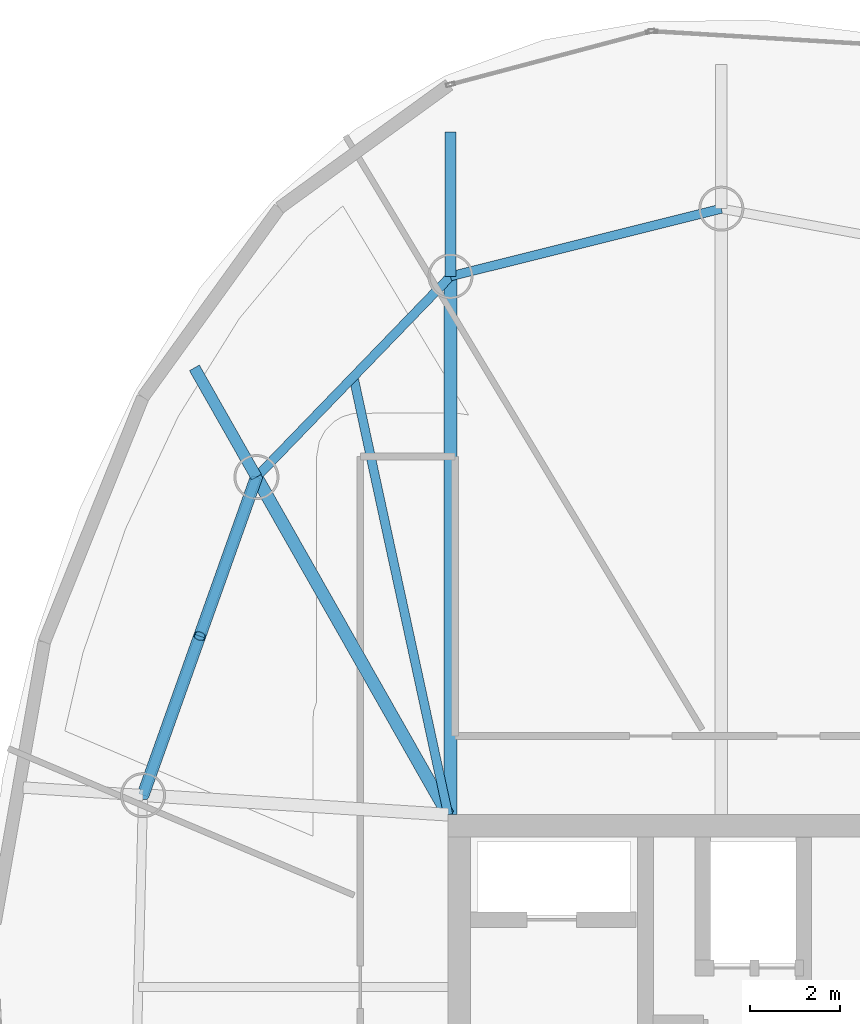
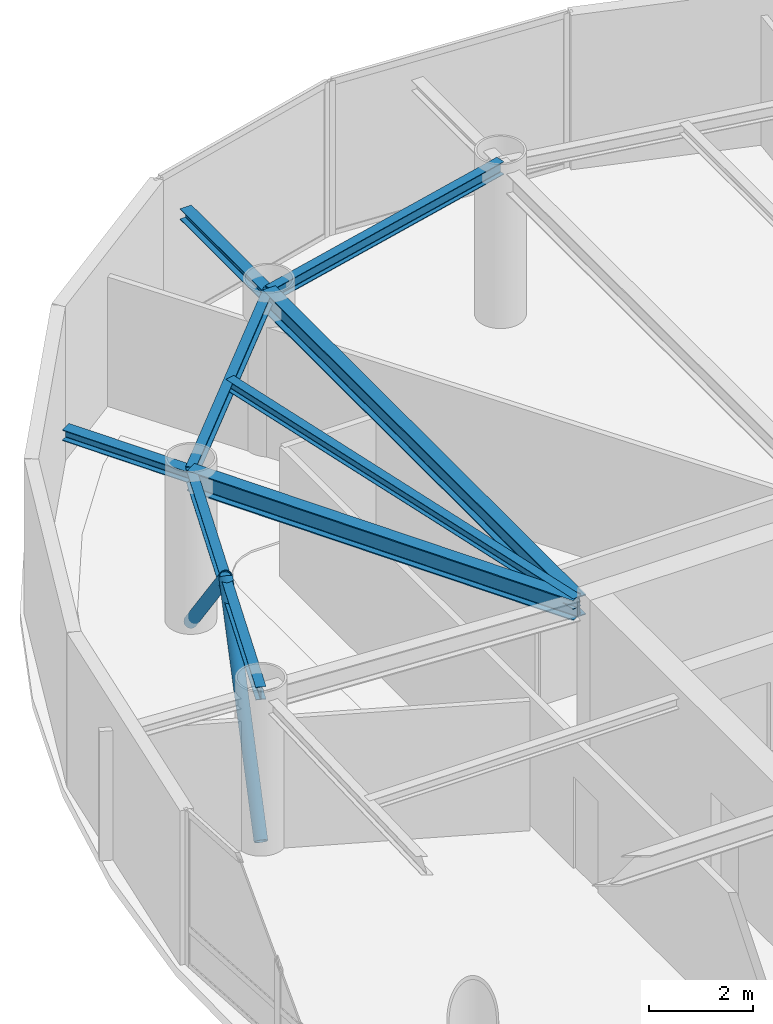
# One storey, part 8 of 19: 8 beams, 2 members.
"""IFC4 building model written with IfcOpenShell, lengths in metres."""

from ifc_helpers import new_model, si_unit, direction, frame, origin, origin_2d, place, context, subcontext, project, spatial, hollow_circle, i_section, extrude, material, material_profile, profile_set, type_object, element, save


model = new_model("IFC4")

# Units and contexts
model_context = context("Model", 3, precision=1e-05, world=origin(), true_north=direction((0.0, 1.0)))
body_context = subcontext(model_context, "Body", "Model", "MODEL_VIEW")
ifc_project = project(units=[si_unit("LENGTHUNIT", "METRE"), si_unit("AREAUNIT", "SQUARE_METRE"), si_unit("VOLUMEUNIT", "CUBIC_METRE"), si_unit("PLANEANGLEUNIT", "RADIAN"), si_unit("MASSUNIT", "GRAM", prefix="KILO")], contexts=[model_context])

# Site, building, storey
site_placement = place(None, origin())
site = spatial("IfcSite", under=ifc_project, at=site_placement, CompositionType="ELEMENT")
building_placement = place(site_placement, origin())
building = spatial("IfcBuilding", under=site, at=building_placement, Name="Bramvorn Convention Spire", CompositionType="ELEMENT")
storey_placement = place(building_placement, frame((0.0, 0.0, 292.10009765625)))
storey = spatial("IfcBuildingStorey", under=building, at=storey_placement, Name="L74", CompositionType="ELEMENT", Elevation=292.10009765625)

# Beams
ifc_material = material(Name="Steel CSA G40.21 Grade 350 (350W)", Category="steel")
ifc_material_profile_1 = material_profile(ifc_material, i_section(OverallWidth=0.201904296875, OverallDepth=0.2470703125, WebThickness=0.00732421875, FlangeThickness=0.010986328125, FilletRadius=0.011962890625, at=origin_2d()))
ifc_profile_set_1 = profile_set([ifc_material_profile_1], Name="Steel CSA G40.21 Grade 350 (350W) - W250X49")
beam_type_1 = type_object("IfcBeamType", Name="BM-W250X49", PredefinedType="JOIST", material=ifc_profile_set_1)
beam_1_placement = place(storey_placement, frame((26.75, 33.449951171875, 3.50146484375), z_axis=(-0.211461445939, 0.977386339623, 0.0), x_axis=(-0.977386339623, -0.211461445939, 0.0)))
element("IfcBeam", 1, at=beam_1_placement, inside=storey, type_object=beam_type_1, Name="L74 composite floor joist 09", PredefinedType="JOIST", context=body_context, shape_type="SweptSolid", body=[
    extrude(i_section(OverallWidth=0.201904296875, OverallDepth=0.2470703125, WebThickness=0.00732421875, FlangeThickness=0.010986328125, FilletRadius=0.011962890625, at=origin_2d()), origin(), (0.0, 0.0, 1.0), 9.9462890625),
])
ifc_material_profile_2 = material_profile(ifc_material, i_section(OverallWidth=0.25390625, OverallDepth=0.2529296875, WebThickness=0.008544921875, FlangeThickness=0.01416015625, FilletRadius=0.011962890625, at=origin_2d()))
ifc_profile_set_2 = profile_set([ifc_material_profile_2], Name="Steel CSA G40.21 Grade 350 (350W) - W250X73")
beam_type_2 = type_object("IfcBeamType", Name="BM-W250X73", PredefinedType="BEAM", material=ifc_profile_set_2)
beam_2_placement = place(storey_placement, frame((26.800048828125, 45.39892578125, 3.45849609375), z_axis=(0.0, 1.0, 0.0), x_axis=(-1.0, 0.0, 0.0)))
element("IfcBeam", 2, at=beam_2_placement, inside=storey, type_object=beam_type_2, Name="L74 slab-edge cantilever tip beam MC09", PredefinedType="BEAM", context=body_context, shape_type="SweptSolid", body=[
    extrude(i_section(OverallWidth=0.25390625, OverallDepth=0.2529296875, WebThickness=0.008544921875, FlangeThickness=0.01416015625, FilletRadius=0.011962890625, at=origin_2d()), origin(), (0.0, 0.0, 1.0), 3.2001953125),
])
beam_3_placement = place(storey_placement, frame((22.49365234375, 40.94384765625, 3.45849609375), z_axis=(-0.493902600093, 0.869517234804, 0.0), x_axis=(-0.869517234804, -0.493902600093, 0.0)))
element("IfcBeam", 3, at=beam_3_placement, inside=storey, type_object=beam_type_2, Name="L74 slab-edge cantilever tip beam MC10", PredefinedType="BEAM", context=body_context, shape_type="SweptSolid", body=[
    extrude(i_section(OverallWidth=0.25390625, OverallDepth=0.2529296875, WebThickness=0.008544921875, FlangeThickness=0.01416015625, FilletRadius=0.011962890625, at=origin_2d()), origin(), (0.0, 0.0, 1.0), 2.788330078125),
])
ifc_material_profile_3 = material_profile(ifc_material, i_section(OverallWidth=0.202880859375, OverallDepth=0.302978515625, WebThickness=0.007568359375, FlangeThickness=0.01318359375, FilletRadius=0.013916015625, at=origin_2d()))
ifc_profile_set_3 = profile_set([ifc_material_profile_3], Name="Steel CSA G40.21 Grade 350 (350W) - W310X60")
beam_type_3 = type_object("IfcBeamType", Name="BM-W310X60", PredefinedType="JOIST", material=ifc_profile_set_3)
for number, where, z_axis, x_axis, name in (
    (4, (32.8115234375, 46.90087890625, 3.473388671875), (-0.970177255997, -0.24239655927, 0.0), (0.24239655927, -0.970177255997, 0.0), "L74 mega-column ring beam 08"),
    (5, (26.800048828125, 45.39892578125, 3.473388671875), (-0.695007159797, -0.719002814898, 0.0), (0.719002814898, -0.695007159797, 0.0), "L74 mega-column ring beam 09"),
):
    element("IfcBeam", number, at=place(storey_placement, frame(where, z_axis=z_axis, x_axis=x_axis)), inside=storey, type_object=beam_type_3, Name=name, PredefinedType="JOIST", context=body_context, shape_type="SweptSolid", body=[
        extrude(i_section(OverallWidth=0.202880859375, OverallDepth=0.302978515625, WebThickness=0.007568359375, FlangeThickness=0.01318359375, FilletRadius=0.013916015625, at=origin_2d()), origin(), (0.0, 0.0, 1.0), 6.1962890625),
    ])
beam_4_placement = place(storey_placement, frame((22.49365234375, 40.94384765625, 3.473388671875), z_axis=(-0.335839090413, -0.941919373063, 0.0), x_axis=(0.941919373063, -0.335839090413, 0.0)))
element("IfcBeam", 6, at=beam_4_placement, inside=storey, type_object=beam_type_3, Name="L74 mega-column ring beam 10", PredefinedType="JOIST", context=body_context, shape_type="SweptSolid", body=[
    extrude(i_section(OverallWidth=0.202880859375, OverallDepth=0.302978515625, WebThickness=0.007568359375, FlangeThickness=0.01318359375, FilletRadius=0.013916015625, at=origin_2d()), origin(), (0.0, 0.0, 1.0), 7.49560546875),
])
ifc_material_profile_4 = material_profile(ifc_material, i_section(OverallWidth=0.283935546875, OverallDepth=0.47607421875, WebThickness=0.014892578125, FlangeThickness=0.02392578125, FilletRadius=0.01806640625, at=origin_2d()))
ifc_profile_set_4 = profile_set([ifc_material_profile_4], Name="Steel CSA G40.21 Grade 350 (350W) - W460X158")
beam_type_4 = type_object("IfcBeamType", Name="BM-W460X158", PredefinedType="SPANDREL", material=ifc_profile_set_4)
beam_5_placement = place(storey_placement, frame((26.800048828125, 33.449951171875, 3.386962890625), z_axis=(0.0, 1.0, 0.0), x_axis=(-1.0, 0.0, 0.0)))
element("IfcBeam", 7, at=beam_5_placement, inside=storey, type_object=beam_type_4, Name="L74 radial floor girder MC09", PredefinedType="SPANDREL", context=body_context, shape_type="SweptSolid", body=[
    extrude(i_section(OverallWidth=0.283935546875, OverallDepth=0.47607421875, WebThickness=0.014892578125, FlangeThickness=0.02392578125, FilletRadius=0.01806640625, at=origin_2d()), origin(), (0.0, 0.0, 1.0), 11.948974609375),
])
beam_6_placement = place(storey_placement, frame((26.75, 33.449951171875, 3.386962890625), z_axis=(-0.493873612118, 0.869533699895, 0.0), x_axis=(-0.869533699895, -0.493873612118, 0.0)))
element("IfcBeam", 8, at=beam_6_placement, inside=storey, type_object=beam_type_4, Name="L74 radial floor girder MC10", PredefinedType="SPANDREL", context=body_context, shape_type="SweptSolid", body=[
    extrude(i_section(OverallWidth=0.283935546875, OverallDepth=0.47607421875, WebThickness=0.014892578125, FlangeThickness=0.02392578125, FilletRadius=0.01806640625, at=origin_2d()), origin(), (0.0, 0.0, 1.0), 8.618408203125),
])

# Members
ifc_material_profile_5 = material_profile(ifc_material, hollow_circle(Radius=0.136474609375, WallThickness=0.0126953125, at=origin_2d()))
ifc_profile_set_5 = profile_set([ifc_material_profile_5], Name="Steel CSA G40.21 Grade 350 (350W) - CHS273X13")
member_type = type_object("IfcMemberType", Name="MBR-CHS273X13", PredefinedType="BRACE", material=ifc_profile_set_5)
member_1_placement = place(storey_placement, frame((22.49365234375, 40.94384765625, 0.0), z_axis=(-0.241415019829, -0.677048329465, 0.695215324751), x_axis=(0.941912743486, -0.335857683639, 0.0)))
element("IfcMember", 9, at=member_1_placement, inside=storey, type_object=member_type, Name="L74 perimeter Gothic lancet brace 10A", PredefinedType="BRACE", context=body_context, shape_type="SweptSolid", body=[
    extrude(hollow_circle(Radius=0.136474609375, WallThickness=0.0126953125, at=origin_2d()), origin(), (0.0, 0.0, 1.0), 5.214111328125),
])
member_2_placement = place(storey_placement, frame((19.976318359375, 33.883544921875, 0.0), z_axis=(0.241378577718, 0.677030621771, 0.695245222495), x_axis=(-0.941926002824, 0.335820495509, 0.0)))
element("IfcMember", 10, at=member_2_placement, inside=storey, type_object=member_type, Name="L74 perimeter Gothic lancet brace 10B", PredefinedType="BRACE", context=body_context, shape_type="SweptSolid", body=[
    extrude(hollow_circle(Radius=0.136474609375, WallThickness=0.0126953125, at=origin_2d()), origin(), (0.0, 0.0, 1.0), 5.2138671875),
])

save(model, "model.ifc")
